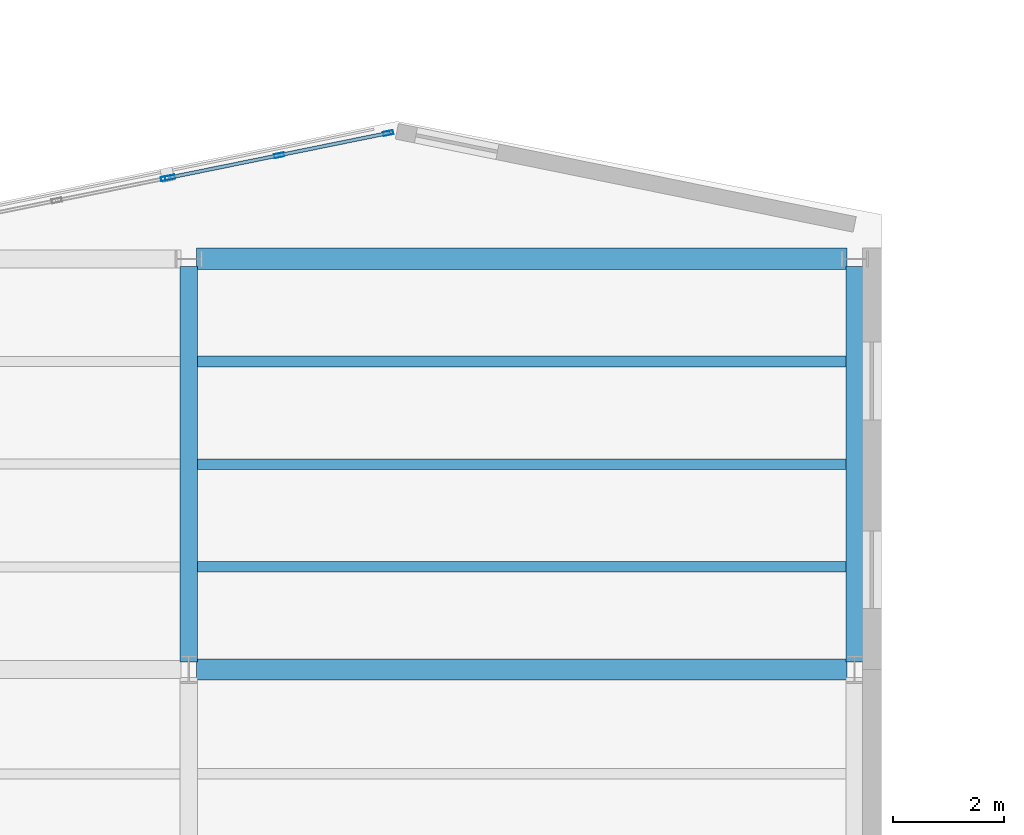
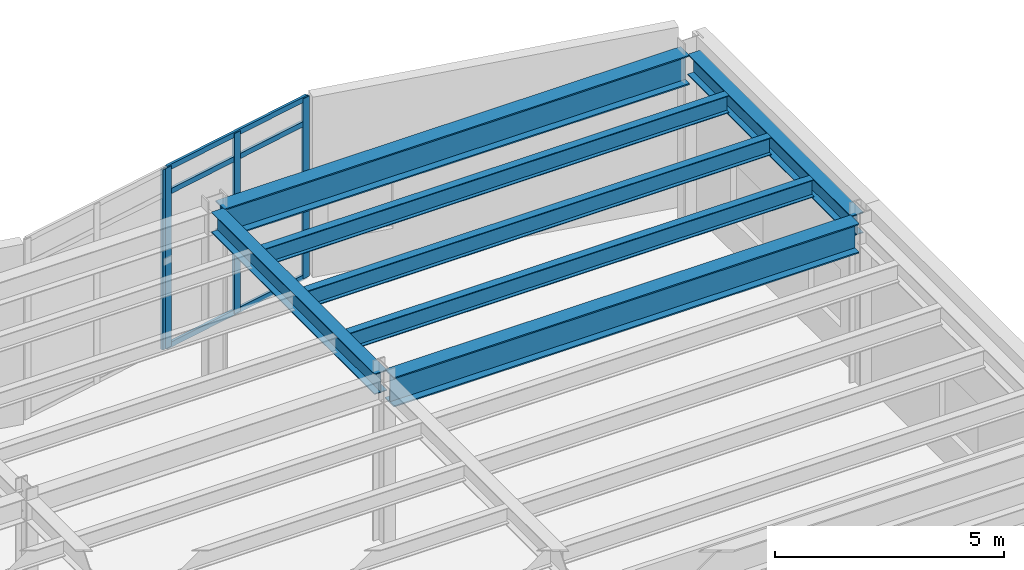
# One storey, part 47 of 91: 7 beams, 7 members, 2 elements without a shape of their own.
"""IFC4 building model written with IfcOpenShell, lengths in metres."""

from ifc_helpers import new_model, si_unit, direction, frame, origin, origin_2d, place, context, subcontext, project, spatial, hollow_rectangle, i_section, extrude, material, layer, layer_set, material_profile, profile_set, type_object, element, aggregate, save


model = new_model("IFC4")

# Units and contexts
model_context = context("Model", 3, precision=1e-05, world=origin(), true_north=direction((0.0, 1.0)))
body_context = subcontext(model_context, "Body", "Model", "MODEL_VIEW")
ifc_project = project(units=[si_unit("LENGTHUNIT", "METRE"), si_unit("AREAUNIT", "SQUARE_METRE"), si_unit("VOLUMEUNIT", "CUBIC_METRE"), si_unit("PLANEANGLEUNIT", "RADIAN"), si_unit("MASSUNIT", "GRAM", prefix="KILO")], contexts=[model_context])

# Site, building, storey
site_placement = place(None, origin())
site = spatial("IfcSite", under=ifc_project, at=site_placement, CompositionType="ELEMENT")
building_placement = place(site_placement, origin())
building = spatial("IfcBuilding", under=site, at=building_placement, Name="Sollismere Congress Hotel", CompositionType="ELEMENT")
storey_placement = place(building_placement, frame((0.0, 0.0, 10.800048828125)))
storey = spatial("IfcBuildingStorey", under=building, at=storey_placement, Name="L02", CompositionType="ELEMENT", Elevation=10.800048828125)

# Beams
ifc_material_1 = material(Name="Steel ASTM A992 Grade 50", Category="steel")
ifc_material_profile_1 = material_profile(ifc_material_1, i_section(OverallWidth=0.31494140625, OverallDepth=0.551025390625, WebThickness=0.01513671875, FlangeThickness=0.0244140625, at=origin_2d()), Name="W21X122")
ifc_profile_set_1 = profile_set([ifc_material_profile_1], Name="Steel ASTM A992 Grade 50")
beam_type_1 = type_object("IfcBeamType", Name="BM-G21H", PredefinedType="BEAM", material=ifc_profile_set_1)
for number, where, z_axis, x_axis, name in (
    (1, (112.0, 95.139892578125, 4.224365234375), (0.0, 1.0, 0.0), (-1.0, 0.0, 0.0), "Beam BM-L02-2115"),
    (2, (124.0, 95.139892578125, 4.224365234375), (0.0, 1.0, 0.0), (-1.0, 0.0, 0.0), "Beam BM-L02-2120"),
):
    element("IfcBeam", number, at=place(storey_placement, frame(where, z_axis=z_axis, x_axis=x_axis)), inside=storey, type_object=beam_type_1, Name=name, PredefinedType="BEAM", context=body_context, shape_type="SweptSolid", body=[
        extrude(i_section(OverallWidth=0.31494140625, OverallDepth=0.551025390625, WebThickness=0.01513671875, FlangeThickness=0.0244140625, at=origin_2d()), origin(), (0.0, 0.0, 1.0), 7.1201171875),
    ])
ifc_material_profile_2 = material_profile(ifc_material_1, i_section(OverallWidth=0.384033203125, OverallDepth=0.787109375, WebThickness=0.019775390625, FlangeThickness=0.033447265625, at=origin_2d()), Name="W30X211")
ifc_profile_set_2 = profile_set([ifc_material_profile_2], Name="Steel ASTM A992 Grade 50")
beam_type_2 = type_object("IfcBeamType", Name="BM-G30", PredefinedType="BEAM", material=ifc_profile_set_2)
for number, where, z_axis, x_axis, name in (
    (3, (112.139892578125, 95.0, 4.1064453125), (1.0, 0.0, 0.0), (0.0, 1.0, 0.0), "Beam BM-L02-2047"),
    (4, (112.139892578125, 102.39990234375, 4.1064453125), (1.0, 0.0, 0.0), (0.0, 1.0, 0.0), "Beam BM-L02-2054"),
):
    element("IfcBeam", number, at=place(storey_placement, frame(where, z_axis=z_axis, x_axis=x_axis)), inside=storey, type_object=beam_type_2, Name=name, PredefinedType="BEAM", context=body_context, shape_type="SweptSolid", body=[
        extrude(i_section(OverallWidth=0.384033203125, OverallDepth=0.787109375, WebThickness=0.019775390625, FlangeThickness=0.033447265625, at=origin_2d()), origin(), (0.0, 0.0, 1.0), 11.72021484375),
    ])
ifc_material_profile_3 = material_profile(ifc_material_1, i_section(OverallWidth=0.193115234375, OverallDepth=0.467041015625, WebThickness=0.011474609375, FlangeThickness=0.01904296875, at=origin_2d()), Name="W18X65")
ifc_profile_set_3 = profile_set([ifc_material_profile_3], Name="Steel ASTM A992 Grade 50")
beam_type_3 = type_object("IfcBeamType", Name="BM-J18", PredefinedType="JOIST", material=ifc_profile_set_3)
for number, where, z_axis, x_axis, name in (
    (5, (112.157470703125, 96.85009765625, 4.266357421875), (1.0, 0.0, 0.0), (0.0, 1.0, 0.0), "Beam BM-L02-2288"),
    (6, (112.157470703125, 98.699951171875, 4.266357421875), (1.0, 0.0, 0.0), (0.0, 1.0, 0.0), "Beam BM-L02-2289"),
    (7, (112.157470703125, 100.550048828125, 4.266357421875), (1.0, 0.0, 0.0), (0.0, 1.0, 0.0), "Beam BM-L02-2290"),
):
    element("IfcBeam", number, at=place(storey_placement, frame(where, z_axis=z_axis, x_axis=x_axis)), inside=storey, type_object=beam_type_3, Name=name, PredefinedType="JOIST", context=body_context, shape_type="SweptSolid", body=[
        extrude(i_section(OverallWidth=0.193115234375, OverallDepth=0.467041015625, WebThickness=0.011474609375, FlangeThickness=0.01904296875, at=origin_2d()), origin(), (0.0, 0.0, 1.0), 11.68505859375),
    ])

# Curtain wall, member
ifc_material_2 = material(Name="Anodized Bronze Curtain Wall & Low-E Triple Glazing", Category="glass")
ifc_layer = layer(ifc_material_2, 0.199951171875, Name="Anodized Bronze Curtain Wall & Low-E Triple Glazing")
ifc_layer_set = layer_set([ifc_layer], Name="Anodized Bronze Curtain Wall & Low-E Triple Glazing")
curtain_wall_type = type_object("IfcCurtainWallType", Name="CW-GLZ36", PredefinedType="USERDEFINED", material=ifc_layer_set)
curtain_wall_1_placement = place(storey_placement, origin())
curtain_wall_1 = element("IfcCurtainWall", 8, at=curtain_wall_1_placement, inside=storey, type_object=curtain_wall_type, Name="Unitised curtain wall CW-L02-103", ObjectType="UNITISED CURTAIN WALL", PredefinedType="USERDEFINED")
ifc_material_3 = material(Name="Anodized Aluminum 6063-T6", Category="aluminium")
ifc_material_profile_4 = material_profile(ifc_material_3, hollow_rectangle(XDim=0.074951171875, YDim=0.179931640625, WallThickness=0.0048828125, at=origin_2d()), Name="ALU180X75X5")
ifc_profile_set_4 = profile_set([ifc_material_profile_4], Name="Anodized Aluminum 6063-T6")
member_type_1 = type_object("IfcMemberType", Name="ML-CW180", PredefinedType="MULLION", material=ifc_profile_set_4)
member_1_placement = place(storey_placement, frame((111.587890625, 103.851806640625, 0.0), z_axis=(0.0, 0.0, 1.0), x_axis=(-0.199367934417, 0.979924704621, 0.0)))
member_1 = element("IfcMember", 9, at=member_1_placement, type_object=member_type_1, Name="CWL-CW-L02-103-ML03", PredefinedType="MULLION", context=body_context, shape_type="SweptSolid", body=[
    extrude(hollow_rectangle(XDim=0.074951171875, YDim=0.179931640625, WallThickness=0.0048828125, at=origin_2d()), origin(), (0.0, 0.0, 1.0), 4.800048828125),
])
aggregate(curtain_wall_1, [member_1])

# Curtain wall, members
curtain_wall_2_placement = place(storey_placement, origin())
curtain_wall_2 = element("IfcCurtainWall", 10, at=curtain_wall_2_placement, inside=storey, type_object=curtain_wall_type, Name="Unitised curtain wall CW-L02-104", ObjectType="UNITISED CURTAIN WALL", PredefinedType="USERDEFINED")
member_2_placement = place(storey_placement, frame((111.662109375, 103.86669921875, 0.0), z_axis=(0.0, 0.0, 1.0), x_axis=(-0.199367934417, 0.979924704621, 0.0)))
member_2 = element("IfcMember", 11, at=member_2_placement, type_object=member_type_1, Name="CWL-CW-L02-104-ML01", PredefinedType="MULLION", context=body_context, shape_type="SweptSolid", body=[
    extrude(hollow_rectangle(XDim=0.074951171875, YDim=0.179931640625, WallThickness=0.0048828125, at=origin_2d()), origin(), (0.0, 0.0, 1.0), 4.800048828125),
])
member_3_placement = place(storey_placement, frame((113.628662109375, 104.266845703125, 0.0), z_axis=(0.0, 0.0, 1.0), x_axis=(-0.199367934417, 0.979924704621, 0.0)))
member_3 = element("IfcMember", 12, at=member_3_placement, type_object=member_type_1, Name="CWL-CW-L02-104-ML02", PredefinedType="MULLION", context=body_context, shape_type="SweptSolid", body=[
    extrude(hollow_rectangle(XDim=0.074951171875, YDim=0.179931640625, WallThickness=0.0048828125, at=origin_2d()), origin(), (0.0, 0.0, 1.0), 4.800048828125),
])
member_4_placement = place(storey_placement, frame((115.59521484375, 104.6669921875, 0.0), z_axis=(0.0, 0.0, 1.0), x_axis=(-0.199367934417, 0.979924704621, 0.0)))
member_4 = element("IfcMember", 13, at=member_4_placement, type_object=member_type_1, Name="CWL-CW-L02-104-ML03", PredefinedType="MULLION", context=body_context, shape_type="SweptSolid", body=[
    extrude(hollow_rectangle(XDim=0.074951171875, YDim=0.179931640625, WallThickness=0.0048828125, at=origin_2d()), origin(), (0.0, 0.0, 1.0), 4.800048828125),
])
ifc_material_profile_5 = material_profile(ifc_material_3, hollow_rectangle(XDim=0.06494140625, YDim=0.139892578125, WallThickness=0.00390625, at=origin_2d()), Name="ALU140X65X4")
ifc_profile_set_5 = profile_set([ifc_material_profile_5], Name="Anodized Aluminum 6063-T6")
member_type_2 = type_object("IfcMemberType", Name="TR-CW150", PredefinedType="MEMBER", material=ifc_profile_set_5)
member_5_placement = place(storey_placement, frame((111.625, 103.859375, 0.032470703125), z_axis=(0.979930139944, 0.199341217087, 0.0), x_axis=(-0.199341217087, 0.979930139944, 0.0)))
member_5 = element("IfcMember", 14, at=member_5_placement, type_object=member_type_2, Name="CWL-CW-L02-104-TR1", PredefinedType="MEMBER", context=body_context, shape_type="SweptSolid", body=[
    extrude(hollow_rectangle(XDim=0.06494140625, YDim=0.139892578125, WallThickness=0.00390625, at=origin_2d()), origin(), (0.0, 0.0, 1.0), 4.08935546875),
])
member_6_placement = place(storey_placement, frame((111.625, 103.859375, 4.119873046875), z_axis=(0.979930139944, 0.199341217087, 0.0), x_axis=(-0.199341217087, 0.979930139944, 0.0)))
member_6 = element("IfcMember", 15, at=member_6_placement, type_object=member_type_2, Name="CWL-CW-L02-104-TR2", PredefinedType="MEMBER", context=body_context, shape_type="SweptSolid", body=[
    extrude(hollow_rectangle(XDim=0.06494140625, YDim=0.139892578125, WallThickness=0.00390625, at=origin_2d()), origin(), (0.0, 0.0, 1.0), 4.08935546875),
])
member_7_placement = place(storey_placement, frame((111.625, 103.859375, 4.767333984375), z_axis=(0.979930139944, 0.199341217087, 0.0), x_axis=(-0.199341217087, 0.979930139944, 0.0)))
member_7 = element("IfcMember", 16, at=member_7_placement, type_object=member_type_2, Name="CWL-CW-L02-104-TR3", PredefinedType="MEMBER", context=body_context, shape_type="SweptSolid", body=[
    extrude(hollow_rectangle(XDim=0.06494140625, YDim=0.139892578125, WallThickness=0.00390625, at=origin_2d()), origin(), (0.0, 0.0, 1.0), 4.08935546875),
])
aggregate(curtain_wall_2, [member_2, member_3, member_4, member_5, member_6, member_7])

save(model, "model.ifc")
